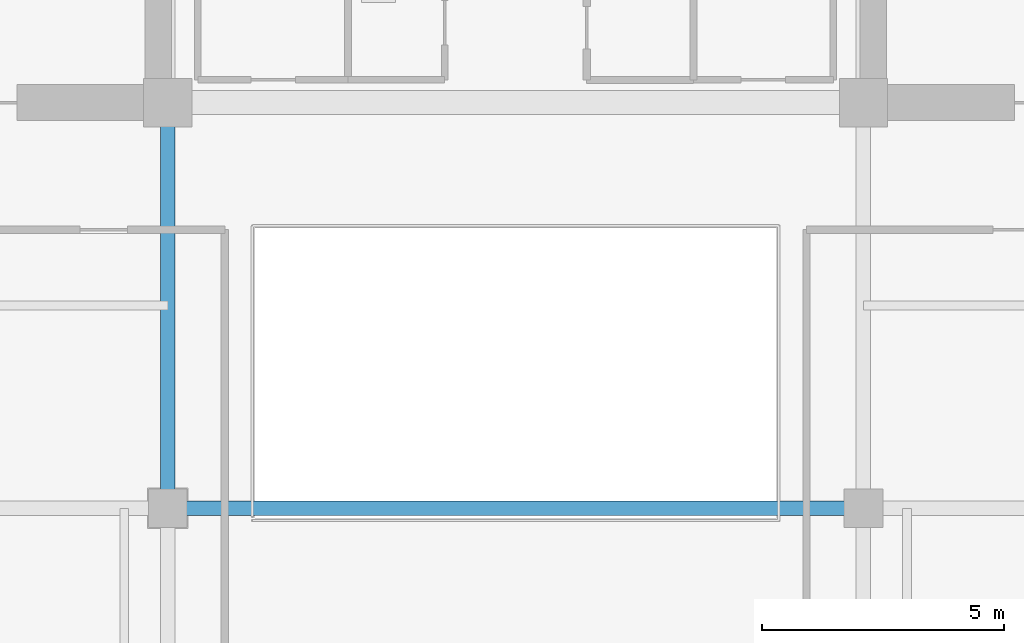
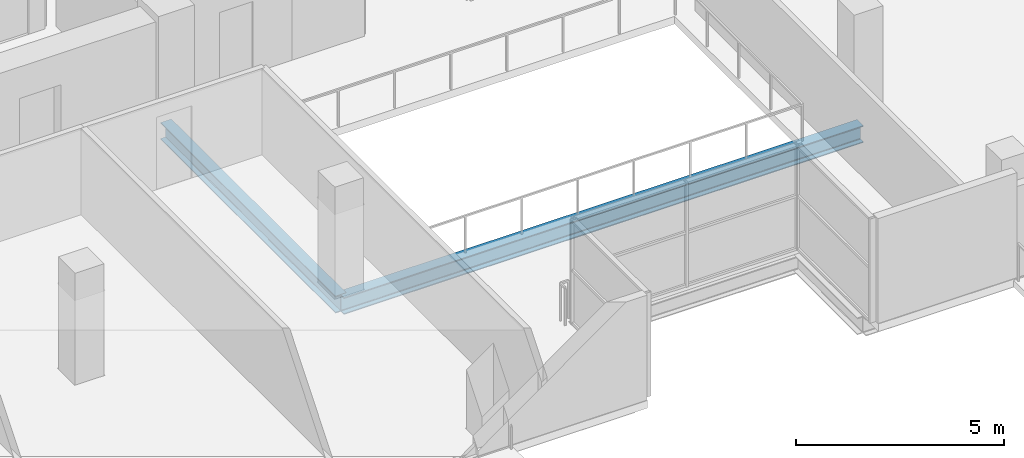
# One storey, part 4 of 22: 2 beams.
"""IFC4 building model written with IfcOpenShell, lengths in metres."""

from ifc_helpers import new_model, si_unit, direction, frame, origin, origin_2d, place, context, subcontext, project, spatial, i_section, extrude, material, material_profile, profile_set, type_object, element, save


model = new_model("IFC4")

# Units and contexts
model_context = context("Model", 3, precision=1e-05, world=origin(), true_north=direction((0.0, 1.0)))
body_context = subcontext(model_context, "Body", "Model", "MODEL_VIEW")
ifc_project = project(units=[si_unit("LENGTHUNIT", "METRE"), si_unit("AREAUNIT", "SQUARE_METRE"), si_unit("VOLUMEUNIT", "CUBIC_METRE"), si_unit("PLANEANGLEUNIT", "RADIAN"), si_unit("MASSUNIT", "GRAM", prefix="KILO")], contexts=[model_context])

# Site, building, storey
site_placement = place(None, origin())
site = spatial("IfcSite", under=ifc_project, at=site_placement, CompositionType="ELEMENT")
building_placement = place(site_placement, origin())
building = spatial("IfcBuilding", under=site, at=building_placement, Name="Zarnakvel Exchange Tower", CompositionType="ELEMENT")
storey_placement = place(building_placement, frame((0.0, 0.0, 179.199951171875)))
storey = spatial("IfcBuildingStorey", under=building, at=storey_placement, Name="L50", CompositionType="ELEMENT", Elevation=179.199951171875)

# Beams
ifc_material = material(Name="Steel S355", Category="steel")
ifc_material_profile = material_profile(ifc_material, i_section(OverallWidth=0.300048828125, OverallDepth=0.5, WebThickness=0.014404296875, FlangeThickness=0.028076171875, FilletRadius=0.027099609375, at=origin_2d()))
ifc_profile_set = profile_set([ifc_material_profile], Name="Steel S355")
beam_type = type_object("IfcBeamType", Name="G-06", PredefinedType="BEAM", material=ifc_profile_set)
beam_1_placement = place(storey_placement, frame((-7.199951171875, -9.60009765625, -0.474853515625), z_axis=(1.0, 0.0, 0.0), x_axis=(0.0, 1.0, 0.0)))
element("IfcBeam", 1, at=beam_1_placement, inside=storey, type_object=beam_type, Name="L50 Tower E-W Frame Beam", PredefinedType="BEAM", context=body_context, shape_type="SweptSolid", body=[
    extrude(i_section(OverallWidth=0.300048828125, OverallDepth=0.5, WebThickness=0.014404296875, FlangeThickness=0.028076171875, FilletRadius=0.027099609375, at=origin_2d()), origin(), (0.0, 0.0, 1.0), 14.39990234375),
])
beam_2_placement = place(storey_placement, frame((-7.199951171875, -9.60009765625, -0.474853515625), z_axis=(0.0, 1.0, 0.0), x_axis=(-1.0, 0.0, 0.0)))
element("IfcBeam", 2, at=beam_2_placement, inside=storey, type_object=beam_type, Name="L50 Tower N-S Frame Beam", PredefinedType="BEAM", context=body_context, shape_type="SweptSolid", body=[
    extrude(i_section(OverallWidth=0.300048828125, OverallDepth=0.5, WebThickness=0.014404296875, FlangeThickness=0.028076171875, FilletRadius=0.027099609375, at=origin_2d()), origin(), (0.0, 0.0, 1.0), 8.400146484375),
])

save(model, "model.ifc")
